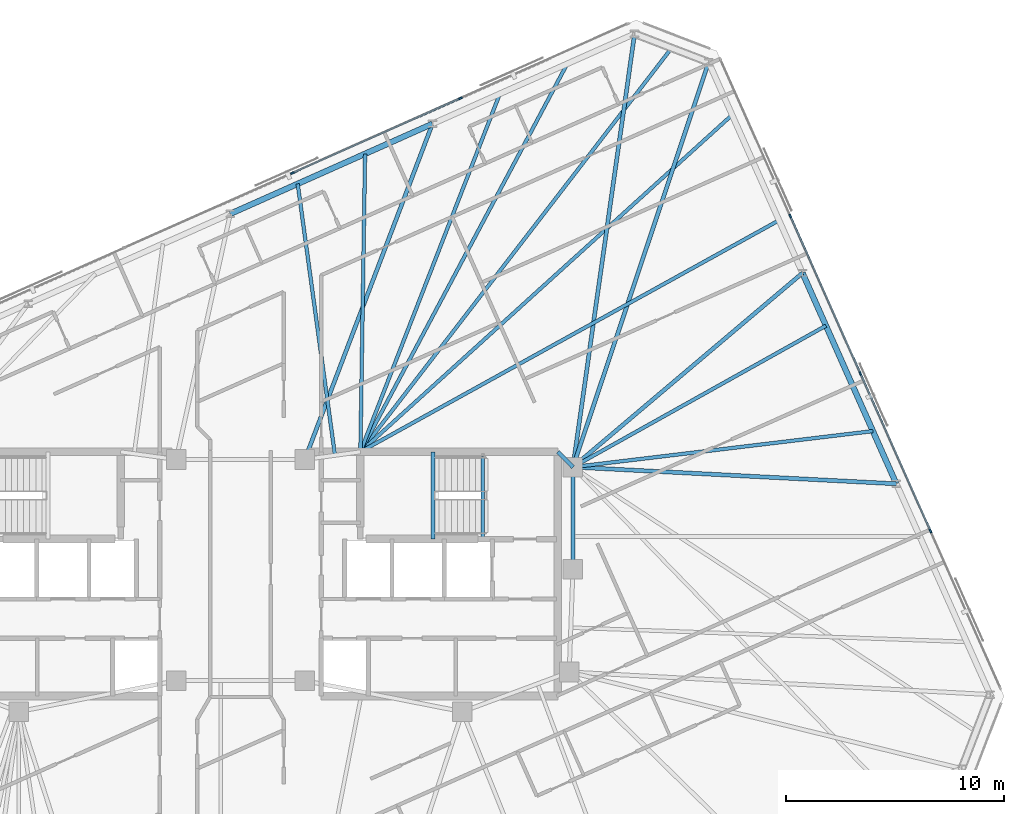
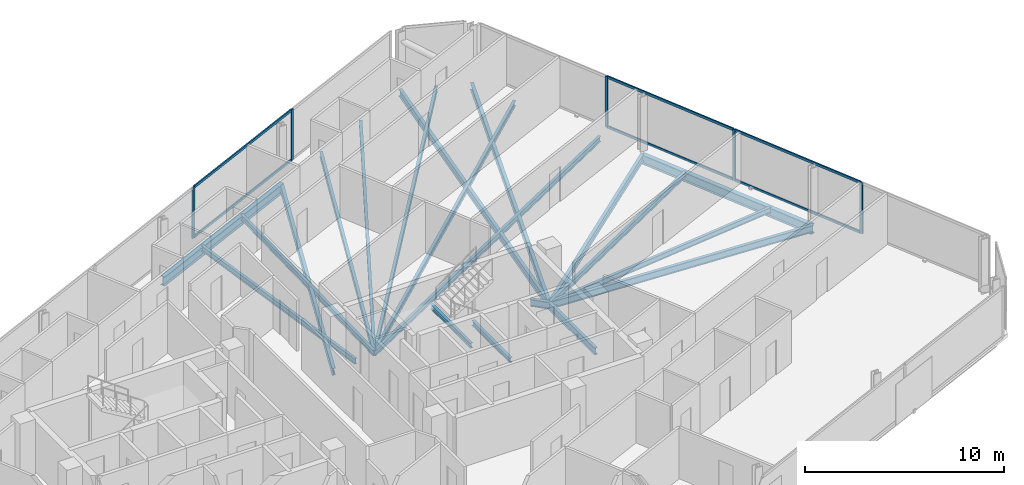
# One storey, part 10 of 19: 20 beams, 11 members, 2 elements without a shape of their own.
"""IFC4 building model written with IfcOpenShell, lengths in metres."""

from ifc_helpers import new_model, si_unit, direction, frame, origin, origin_2d, place, context, subcontext, project, spatial, rectangle, i_section, extrude, material, material_profile, profile_set, type_object, element, aggregate, save


model = new_model("IFC4")

# Units and contexts
model_context = context("Model", 3, precision=1e-05, world=origin(), true_north=direction((0.0, 1.0)))
body_context = subcontext(model_context, "Body", "Model", "MODEL_VIEW")
ifc_project = project(units=[si_unit("LENGTHUNIT", "METRE"), si_unit("AREAUNIT", "SQUARE_METRE"), si_unit("VOLUMEUNIT", "CUBIC_METRE"), si_unit("PLANEANGLEUNIT", "RADIAN"), si_unit("MASSUNIT", "GRAM", prefix="KILO")], contexts=[model_context])

# Site, building, storey
site_placement = place(None, origin())
site = spatial("IfcSite", under=ifc_project, at=site_placement, CompositionType="ELEMENT")
building_placement = place(site_placement, origin())
building = spatial("IfcBuilding", under=site, at=building_placement, Name="Menara Jurai Vektor", CompositionType="ELEMENT")
storey_placement = place(building_placement, frame((0.0, 0.0, 291.949951171875)))
storey = spatial("IfcBuildingStorey", under=building, at=storey_placement, Name="L78", CompositionType="ELEMENT", Elevation=291.949951171875)

# Curtain wall, members
ifc_material_1 = material(Name="Anodised Pale Aluminium & Low-E Double Glazing", Category="aluminium")
curtain_wall_type = type_object("IfcCurtainWallType", Name="CW-BLK5", PredefinedType="NOTDEFINED", material=ifc_material_1)
curtain_wall_1_placement = place(storey_placement, origin())
curtain_wall_1 = element("IfcCurtainWall", 1, at=curtain_wall_1_placement, inside=storey, type_object=curtain_wall_type, Name="Unitised Curtain Wall L78 F03", PredefinedType="NOTDEFINED")
ifc_material_2 = material(Name="Anodised Pale Aluminium Mullion", Category="aluminium")
ifc_material_profile_1 = material_profile(ifc_material_2, rectangle(XDim=0.074951171875, YDim=0.175048828125, at=origin_2d()), Name="ALU MUL 75x175")
ifc_profile_set_1 = profile_set([ifc_material_profile_1], Name="Anodised Pale Aluminium Mullion")
member_type_1 = type_object("IfcMemberType", Name="CW-BLK5-MUL", PredefinedType="MULLION", material=ifc_profile_set_1)
member_1_placement = place(storey_placement, frame((31.6533203125, 1.9658203125, 0.0), z_axis=(0.0, 0.0, 1.0), x_axis=(-0.913546127706, -0.406735138086, 0.0)))
member_1 = element("IfcMember", 2, at=member_1_placement, type_object=member_type_1, Name="CW-05 mullion 2", PredefinedType="MULLION", context=body_context, shape_type="SweptSolid", body=[
    extrude(rectangle(XDim=0.074951171875, YDim=0.175048828125, at=origin_2d()), origin(), (0.0, 0.0, 1.0), 3.125),
])
member_2_placement = place(storey_placement, frame((28.43603515625, 9.19189453125, 0.0), z_axis=(0.0, 0.0, 1.0), x_axis=(-0.913546127706, -0.406735138086, 0.0)))
member_2 = element("IfcMember", 3, at=member_2_placement, type_object=member_type_1, Name="CW-05 mullion 3", PredefinedType="MULLION", context=body_context, shape_type="SweptSolid", body=[
    extrude(rectangle(XDim=0.074951171875, YDim=0.175048828125, at=origin_2d()), origin(), (0.0, 0.0, 1.0), 3.125),
])
member_3_placement = place(storey_placement, frame((25.21875, 16.418212890625, 0.0), z_axis=(0.0, 0.0, 1.0), x_axis=(-0.913546127706, -0.406735138086, 0.0)))
member_3 = element("IfcMember", 4, at=member_3_placement, type_object=member_type_1, Name="CW-05 mullion 4", PredefinedType="MULLION", context=body_context, shape_type="SweptSolid", body=[
    extrude(rectangle(XDim=0.074951171875, YDim=0.175048828125, at=origin_2d()), origin(), (0.0, 0.0, 1.0), 3.125),
])

curtain_wall_2_placement = place(storey_placement, origin())
curtain_wall_2 = element("IfcCurtainWall", 5, at=curtain_wall_2_placement, inside=storey, type_object=curtain_wall_type, Name="Unitised Curtain Wall L78 F05", PredefinedType="NOTDEFINED")
member_4_placement = place(storey_placement, frame((10.0927734375, 21.822998046875, 0.0), z_axis=(0.0, 0.0, 1.0), x_axis=(0.406735498684, -0.913545967158, 0.0)))
member_4 = element("IfcMember", 6, at=member_4_placement, type_object=member_type_1, Name="CW-05 mullion 2", PredefinedType="MULLION", context=body_context, shape_type="SweptSolid", body=[
    extrude(rectangle(XDim=0.074951171875, YDim=0.175048828125, at=origin_2d()), origin(), (0.0, 0.0, 1.0), 3.125),
])
member_5_placement = place(storey_placement, frame((2.38232421875, 18.39013671875, 0.0), z_axis=(0.0, 0.0, 1.0), x_axis=(0.406735498684, -0.913545967158, 0.0)))
member_5 = element("IfcMember", 7, at=member_5_placement, type_object=member_type_1, Name="CW-05 mullion 3", PredefinedType="MULLION", context=body_context, shape_type="SweptSolid", body=[
    extrude(rectangle(XDim=0.074951171875, YDim=0.175048828125, at=origin_2d()), origin(), (0.0, 0.0, 1.0), 3.125),
])

# Member
ifc_material_3 = material(Name="Anodised Pale Aluminium Transom", Category="aluminium")
ifc_material_profile_2 = material_profile(ifc_material_3, rectangle(XDim=0.074951171875, YDim=0.155029296875, at=origin_2d()), Name="ALU TRN 75x155")
ifc_profile_set_2 = profile_set([ifc_material_profile_2], Name="Anodised Pale Aluminium Transom")
member_type_2 = type_object("IfcMemberType", Name="CW-BLK5-TRN", PredefinedType="USERDEFINED", material=ifc_profile_set_2)
member_6_placement = place(storey_placement, frame((31.63818359375, 2.0, 0.03759765625), z_axis=(-0.406731062496, 0.913547942256, 0.0), x_axis=(-0.913547942256, -0.406731062496, 0.0)))
member_6 = element("IfcMember", 8, at=member_6_placement, type_object=member_type_2, Name="CW-05 transom 2.1", ObjectType="TRANSOM", PredefinedType="USERDEFINED", context=body_context, shape_type="SweptSolid", body=[
    extrude(rectangle(XDim=0.074951171875, YDim=0.155029296875, at=origin_2d()), origin(), (0.0, 0.0, 1.0), 7.8349609375),
])

member_7_placement = place(storey_placement, frame((31.63818359375, 2.0, 3.087646484375), z_axis=(-0.406731062496, 0.913547942256, 0.0), x_axis=(-0.913547942256, -0.406731062496, 0.0)))
member_7 = element("IfcMember", 9, at=member_7_placement, type_object=member_type_2, Name="CW-05 transom 2.2", ObjectType="TRANSOM", PredefinedType="USERDEFINED", context=body_context, shape_type="SweptSolid", body=[
    extrude(rectangle(XDim=0.074951171875, YDim=0.155029296875, at=origin_2d()), origin(), (0.0, 0.0, 1.0), 7.8349609375),
])

member_8_placement = place(storey_placement, frame((28.4208984375, 9.226318359375, 0.03759765625), z_axis=(-0.40674264085, 0.913542787238, 0.0), x_axis=(-0.913542787238, -0.40674264085, 0.0)))
member_8 = element("IfcMember", 10, at=member_8_placement, type_object=member_type_2, Name="CW-05 transom 3.1", ObjectType="TRANSOM", PredefinedType="USERDEFINED", context=body_context, shape_type="SweptSolid", body=[
    extrude(rectangle(XDim=0.074951171875, YDim=0.155029296875, at=origin_2d()), origin(), (0.0, 0.0, 1.0), 7.8349609375),
])

member_9_placement = place(storey_placement, frame((28.4208984375, 9.226318359375, 3.087646484375), z_axis=(-0.40674264085, 0.913542787238, 0.0), x_axis=(-0.913542787238, -0.40674264085, 0.0)))
member_9 = element("IfcMember", 11, at=member_9_placement, type_object=member_type_2, Name="CW-05 transom 3.2", ObjectType="TRANSOM", PredefinedType="USERDEFINED", context=body_context, shape_type="SweptSolid", body=[
    extrude(rectangle(XDim=0.074951171875, YDim=0.155029296875, at=origin_2d()), origin(), (0.0, 0.0, 1.0), 7.8349609375),
])

aggregate(curtain_wall_1, [member_1, member_2, member_3, member_6, member_7, member_8, member_9])

member_10_placement = place(storey_placement, frame((10.058349609375, 21.807861328125, 0.03759765625), z_axis=(-0.913546575494, -0.406734132331, 0.0), x_axis=(0.406734132331, -0.913546575494, 0.0)))
member_10 = element("IfcMember", 12, at=member_10_placement, type_object=member_type_2, Name="CW-05 transom 2.1", ObjectType="TRANSOM", PredefinedType="USERDEFINED", context=body_context, shape_type="SweptSolid", body=[
    extrude(rectangle(XDim=0.074951171875, YDim=0.155029296875, at=origin_2d()), origin(), (0.0, 0.0, 1.0), 8.364990234375),
])

member_11_placement = place(storey_placement, frame((10.058349609375, 21.807861328125, 3.087646484375), z_axis=(-0.913546575494, -0.406734132331, 0.0), x_axis=(0.406734132331, -0.913546575494, 0.0)))
member_11 = element("IfcMember", 13, at=member_11_placement, type_object=member_type_2, Name="CW-05 transom 2.2", ObjectType="TRANSOM", PredefinedType="USERDEFINED", context=body_context, shape_type="SweptSolid", body=[
    extrude(rectangle(XDim=0.074951171875, YDim=0.155029296875, at=origin_2d()), origin(), (0.0, 0.0, 1.0), 8.364990234375),
])

aggregate(curtain_wall_2, [member_4, member_5, member_10, member_11])

# Beams
ifc_material_4 = material(Name="Steel S355", Category="steel")
ifc_material_profile_3 = material_profile(ifc_material_4, i_section(OverallWidth=0.18505859375, OverallDepth=0.429931640625, WebThickness=0.010986328125, FlangeThickness=0.01806640625, at=origin_2d()), Name="PG 430x185x76")
ifc_profile_set_3 = profile_set([ifc_material_profile_3], Name="Steel S355")
beam_type_1 = type_object("IfcBeamType", Name="STR-BM-430", PredefinedType="BEAM", material=ifc_profile_set_3)
beam_1_placement = place(storey_placement, frame((14.56005859375, 5.60009765625, -0.43994140625), z_axis=(0.701871936926, -0.712303154672, 0.0), x_axis=(0.712303154672, 0.701871936926, 0.0)))
element("IfcBeam", 14, at=beam_1_placement, inside=storey, type_object=beam_type_1, Name="Core Ring Header Girder L78-CHE-N2", PredefinedType="BEAM", context=body_context, shape_type="SweptSolid", body=[
    extrude(i_section(OverallWidth=0.18505859375, OverallDepth=0.429931640625, WebThickness=0.010986328125, FlangeThickness=0.01806640625, at=origin_2d()), origin(), (0.0, 0.0, 1.0), 0.98291015625),
])
beam_2_placement = place(storey_placement, frame((15.25, 0.219970703125, -0.43994140625), z_axis=(0.0, 1.0, 0.0), x_axis=(-1.0, 0.0, 0.0)))
element("IfcBeam", 15, at=beam_2_placement, inside=storey, type_object=beam_type_1, Name="Core Ring Header Girder L78-CHE-E1", PredefinedType="BEAM", context=body_context, shape_type="SweptSolid", body=[
    extrude(i_section(OverallWidth=0.18505859375, OverallDepth=0.429931640625, WebThickness=0.010986328125, FlangeThickness=0.01806640625, at=origin_2d()), origin(), (0.0, 0.0, 1.0), 4.679931640625),
])
beam_3_placement = place(storey_placement, frame((30.086181640625, 4.13330078125, -0.43994140625), z_axis=(-0.998667716832, 0.051602241782, 0.0), x_axis=(-0.051602241782, -0.998667716832, 0.0)))
element("IfcBeam", 16, at=beam_3_placement, inside=storey, type_object=beam_type_1, Name="Radial Floor Girder L78-E2", PredefinedType="BEAM", context=body_context, shape_type="SweptSolid", body=[
    extrude(i_section(OverallWidth=0.18505859375, OverallDepth=0.429931640625, WebThickness=0.010986328125, FlangeThickness=0.01806640625, at=origin_2d()), origin(), (0.0, 0.0, 1.0), 14.85595703125),
])
beam_4_placement = place(storey_placement, frame((25.781005859375, 13.80322265625, -0.43994140625), z_axis=(-0.763655500673, -0.6456239434, 0.0), x_axis=(0.6456239434, -0.763655500673, 0.0)))
element("IfcBeam", 17, at=beam_4_placement, inside=storey, type_object=beam_type_1, Name="Radial Floor Girder L78-E3", PredefinedType="BEAM", context=body_context, shape_type="SweptSolid", body=[
    extrude(i_section(OverallWidth=0.18505859375, OverallDepth=0.429931640625, WebThickness=0.010986328125, FlangeThickness=0.01806640625, at=origin_2d()), origin(), (0.0, 0.0, 1.0), 13.790283203125),
])
beam_5_placement = place(storey_placement, frame((21.4755859375, 23.473388671875, -0.43994140625), z_axis=(-0.317808893183, -0.948154790851, 0.0), x_axis=(0.948154790851, -0.317808893183, 0.0)))
element("IfcBeam", 18, at=beam_5_placement, inside=storey, type_object=beam_type_1, Name="Radial Floor Girder L78-E4", PredefinedType="BEAM", context=body_context, shape_type="SweptSolid", body=[
    extrude(i_section(OverallWidth=0.18505859375, OverallDepth=0.429931640625, WebThickness=0.010986328125, FlangeThickness=0.01806640625, at=origin_2d()), origin(), (0.0, 0.0, 1.0), 19.589111328125),
])
beam_6_placement = place(storey_placement, frame((18.07958984375, 24.777099609375, -0.43994140625), z_axis=(-0.140932755913, -0.990019170678, 0.0), x_axis=(0.990019170678, -0.140932755913, 0.0)))
element("IfcBeam", 19, at=beam_6_placement, inside=storey, type_object=beam_type_1, Name="Radial Floor Girder L78-N1", PredefinedType="BEAM", context=body_context, shape_type="SweptSolid", body=[
    extrude(i_section(OverallWidth=0.18505859375, OverallDepth=0.429931640625, WebThickness=0.010986328125, FlangeThickness=0.01806640625, at=origin_2d()), origin(), (0.0, 0.0, 1.0), 20.07763671875),
])
beam_7_placement = place(storey_placement, frame((8.805908203125, 20.648193359375, -0.43994140625), z_axis=(-0.355464051758, -0.934689952823, 0.0), x_axis=(0.934689952823, -0.355464051758, 0.0)))
element("IfcBeam", 20, at=beam_7_placement, inside=storey, type_object=beam_type_1, Name="Radial Floor Girder L78-N2", PredefinedType="BEAM", context=body_context, shape_type="SweptSolid", body=[
    extrude(i_section(OverallWidth=0.18505859375, OverallDepth=0.429931640625, WebThickness=0.010986328125, FlangeThickness=0.01806640625, at=origin_2d()), origin(), (0.0, 0.0, 1.0), 16.47412109375),
])
ifc_material_profile_4 = material_profile(ifc_material_4, i_section(OverallWidth=0.1650390625, OverallDepth=0.330078125, WebThickness=0.009033203125, FlangeThickness=0.013916015625, at=origin_2d()), Name="PG 330x165x46")
ifc_profile_set_4 = profile_set([ifc_material_profile_4], Name="Steel S355")
beam_type_2 = type_object("IfcBeamType", Name="STR-JS-330", PredefinedType="JOIST", material=ifc_profile_set_4)
beam_8_placement = place(storey_placement, frame((29.010009765625, 6.55078125, -0.389892578125), z_axis=(-0.992879589053, -0.119122296999, 0.0), x_axis=(0.119122296999, -0.992879589053, 0.0)))
element("IfcBeam", 21, at=beam_8_placement, inside=storey, type_object=beam_type_2, Name="Radial Secondary Floor Joist L78-JS10", PredefinedType="JOIST", context=body_context, shape_type="SweptSolid", body=[
    extrude(i_section(OverallWidth=0.1650390625, OverallDepth=0.330078125, WebThickness=0.009033203125, FlangeThickness=0.013916015625, at=origin_2d()), origin(), (0.0, 0.0, 1.0), 13.858642578125),
])
beam_9_placement = place(storey_placement, frame((26.857177734375, 11.3857421875, -0.389892578125), z_axis=(-0.872960269613, -0.487791315705, 0.0), x_axis=(0.487791315705, -0.872960269613, 0.0)))
element("IfcBeam", 22, at=beam_9_placement, inside=storey, type_object=beam_type_2, Name="Radial Secondary Floor Joist L78-JS11", PredefinedType="JOIST", context=body_context, shape_type="SweptSolid", body=[
    extrude(i_section(OverallWidth=0.1650390625, OverallDepth=0.330078125, WebThickness=0.009033203125, FlangeThickness=0.013916015625, at=origin_2d()), origin(), (0.0, 0.0, 1.0), 13.29638671875),
])
beam_10_placement = place(storey_placement, frame((24.70458984375, 16.220703125, -0.389892578125), z_axis=(-0.87509599458, -0.483949377797, 0.0), x_axis=(0.483949377797, -0.87509599458, 0.0)))
element("IfcBeam", 23, at=beam_10_placement, inside=storey, type_object=beam_type_2, Name="Radial Secondary Floor Joist L78-JS12", PredefinedType="JOIST", context=body_context, shape_type="SweptSolid", body=[
    extrude(i_section(OverallWidth=0.1650390625, OverallDepth=0.330078125, WebThickness=0.009033203125, FlangeThickness=0.013916015625, at=origin_2d()), origin(), (0.0, 0.0, 1.0), 21.94580078125),
])
beam_11_placement = place(storey_placement, frame((22.552001953125, 21.055908203125, -0.389892578125), z_axis=(-0.74093432875, -0.67157748658, 0.0), x_axis=(0.67157748658, -0.74093432875, 0.0)))
element("IfcBeam", 24, at=beam_11_placement, inside=storey, type_object=beam_type_2, Name="Radial Secondary Floor Joist L78-JS13", PredefinedType="JOIST", context=body_context, shape_type="SweptSolid", body=[
    extrude(i_section(OverallWidth=0.1650390625, OverallDepth=0.330078125, WebThickness=0.009033203125, FlangeThickness=0.013916015625, at=origin_2d()), origin(), (0.0, 0.0, 1.0), 23.01416015625),
])
beam_12_placement = place(storey_placement, frame((19.777587890625, 24.125244140625, -0.389892578125), z_axis=(-0.610448519134, -0.792055935832, 0.0), x_axis=(0.792055935832, -0.610448519134, 0.0)))
element("IfcBeam", 25, at=beam_12_placement, inside=storey, type_object=beam_type_2, Name="Radial Secondary Floor Joist L78-JS14", PredefinedType="JOIST", context=body_context, shape_type="SweptSolid", body=[
    extrude(i_section(OverallWidth=0.1650390625, OverallDepth=0.330078125, WebThickness=0.009033203125, FlangeThickness=0.013916015625, at=origin_2d()), origin(), (0.0, 0.0, 1.0), 23.388671875),
])
beam_13_placement = place(storey_placement, frame((14.98828125, 23.400634765625, -0.389892578125), z_axis=(-0.470382173413, -0.882462809945, 0.0), x_axis=(0.882462809945, -0.470382173413, 0.0)))
element("IfcBeam", 26, at=beam_13_placement, inside=storey, type_object=beam_type_2, Name="Radial Secondary Floor Joist L78-JS15", PredefinedType="JOIST", context=body_context, shape_type="SweptSolid", body=[
    extrude(i_section(OverallWidth=0.1650390625, OverallDepth=0.330078125, WebThickness=0.009033203125, FlangeThickness=0.013916015625, at=origin_2d()), origin(), (0.0, 0.0, 1.0), 20.17138671875),
])
beam_14_placement = place(storey_placement, frame((11.897216796875, 22.0244140625, -0.389892578125), z_axis=(-0.36293816309, -0.931813226872, 0.0), x_axis=(0.931813226872, -0.36293816309, 0.0)))
element("IfcBeam", 27, at=beam_14_placement, inside=storey, type_object=beam_type_2, Name="Radial Secondary Floor Joist L78-JS16", PredefinedType="JOIST", context=body_context, shape_type="SweptSolid", body=[
    extrude(i_section(OverallWidth=0.1650390625, OverallDepth=0.330078125, WebThickness=0.009033203125, FlangeThickness=0.013916015625, at=origin_2d()), origin(), (0.0, 0.0, 1.0), 17.626220703125),
])
beam_15_placement = place(storey_placement, frame((5.71484375, 19.27197265625, -0.389892578125), z_axis=(-0.01571234584, -0.999876553475, 0.0), x_axis=(0.999876553475, -0.01571234584, 0.0)))
element("IfcBeam", 28, at=beam_15_placement, inside=storey, type_object=beam_type_2, Name="Radial Secondary Floor Joist L78-JS17", PredefinedType="JOIST", context=body_context, shape_type="SweptSolid", body=[
    extrude(i_section(OverallWidth=0.1650390625, OverallDepth=0.330078125, WebThickness=0.009033203125, FlangeThickness=0.013916015625, at=origin_2d()), origin(), (0.0, 0.0, 1.0), 13.673583984375),
])
beam_16_placement = place(storey_placement, frame((2.62353515625, 17.8955078125, -0.389892578125), z_axis=(0.13599011119, -0.990710194587, 0.0), x_axis=(0.990710194587, 0.13599011119, 0.0)))
element("IfcBeam", 29, at=beam_16_placement, inside=storey, type_object=beam_type_2, Name="Radial Secondary Floor Joist L78-JS18", PredefinedType="JOIST", context=body_context, shape_type="SweptSolid", body=[
    extrude(i_section(OverallWidth=0.1650390625, OverallDepth=0.330078125, WebThickness=0.009033203125, FlangeThickness=0.013916015625, at=origin_2d()), origin(), (0.0, 0.0, 1.0), 12.572265625),
])
ifc_material_profile_5 = material_profile(ifc_material_4, i_section(OverallWidth=0.1650390625, OverallDepth=0.302978515625, WebThickness=0.006103515625, FlangeThickness=0.010009765625, FilletRadius=0.009033203125, at=origin_2d()), Name="UKB 305x165x40")
ifc_profile_set_5 = profile_set([ifc_material_profile_5], Name="Steel S355")
beam_type_3 = type_object("IfcBeamType", Name="STR-LN-305", PredefinedType="LINTEL", material=ifc_profile_set_5)
beam_17_placement = place(storey_placement, frame((11.1201171875, 1.60009765625, -0.37646484375), z_axis=(0.0, 1.0, 0.0), x_axis=(-1.0, 0.0, 0.0)))
element("IfcBeam", 30, at=beam_17_placement, inside=storey, type_object=beam_type_3, Name="Stair Well Floor Trimmer ST2 L78", PredefinedType="LINTEL", context=body_context, shape_type="SweptSolid", body=[
    extrude(i_section(OverallWidth=0.1650390625, OverallDepth=0.302978515625, WebThickness=0.006103515625, FlangeThickness=0.010009765625, FilletRadius=0.009033203125, at=origin_2d()), origin(), (0.0, 0.0, 1.0), 3.81982421875),
])
beam_18_placement = place(storey_placement, frame((8.830078125, 1.60009765625, 1.323486328125), z_axis=(0.0, 1.0, 0.0), x_axis=(-1.0, 0.0, 0.0)))
element("IfcBeam", 31, at=beam_18_placement, inside=storey, type_object=beam_type_3, Name="Stair Half-Landing Nosing Trimmer ST2-1 L78", PredefinedType="LINTEL", context=body_context, shape_type="SweptSolid", body=[
    extrude(i_section(OverallWidth=0.1650390625, OverallDepth=0.302978515625, WebThickness=0.006103515625, FlangeThickness=0.010009765625, FilletRadius=0.009033203125, at=origin_2d()), origin(), (0.0, 0.0, 1.0), 4.0),
])
ifc_material_profile_6 = material_profile(ifc_material_4, i_section(OverallWidth=0.260009765625, OverallDepth=0.570068359375, WebThickness=0.013916015625, FlangeThickness=0.02392578125, at=origin_2d()), Name="PG 570x260x145")
ifc_profile_set_6 = profile_set([ifc_material_profile_6], Name="Steel S355")
beam_type_4 = type_object("IfcBeamType", Name="STR-SP-570", PredefinedType="SPANDREL", material=ifc_profile_set_6)
beam_19_placement = place(storey_placement, frame((30.086181640625, 4.13330078125, -0.510009765625), z_axis=(-0.406724751578, 0.913550751986, 0.0), x_axis=(-0.913550751986, -0.406724751578, 0.0)))
element("IfcBeam", 32, at=beam_19_placement, inside=storey, type_object=beam_type_4, Name="Exoskeleton Spandrel Beam L78-08", PredefinedType="SPANDREL", context=body_context, shape_type="SweptSolid", body=[
    extrude(i_section(OverallWidth=0.260009765625, OverallDepth=0.570068359375, WebThickness=0.013916015625, FlangeThickness=0.02392578125, at=origin_2d()), origin(), (0.0, 0.0, 1.0), 10.5849609375),
])
beam_20_placement = place(storey_placement, frame((8.805908203125, 20.648193359375, -0.510009765625), z_axis=(-0.913541582548, -0.406745346568, 0.0), x_axis=(0.406745346568, -0.913541582548, 0.0)))
element("IfcBeam", 33, at=beam_20_placement, inside=storey, type_object=beam_type_4, Name="Exoskeleton Spandrel Beam L78-12", PredefinedType="SPANDREL", context=body_context, shape_type="SweptSolid", body=[
    extrude(i_section(OverallWidth=0.260009765625, OverallDepth=0.570068359375, WebThickness=0.013916015625, FlangeThickness=0.02392578125, at=origin_2d()), origin(), (0.0, 0.0, 1.0), 10.151123046875),
])

save(model, "model.ifc")
